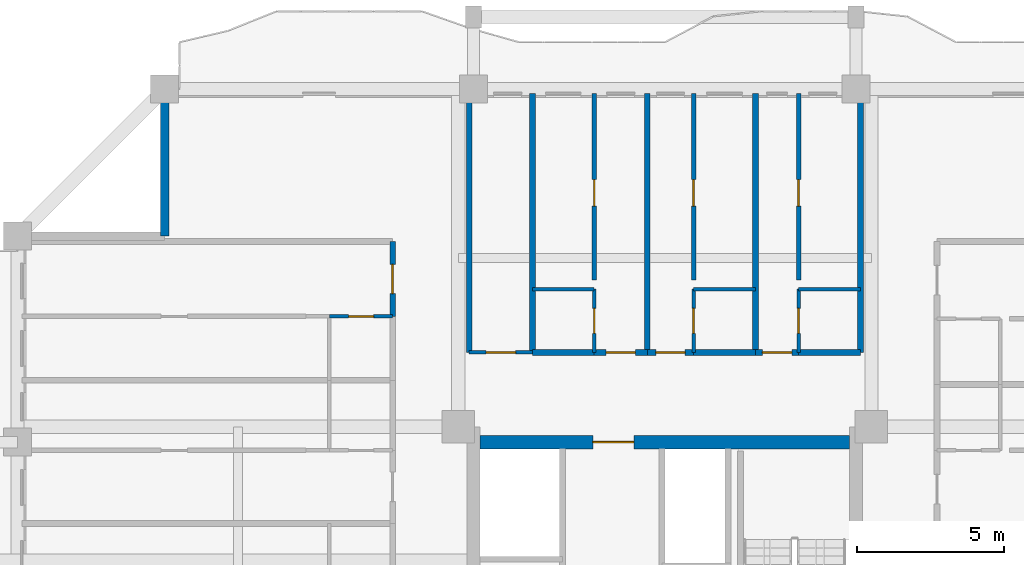
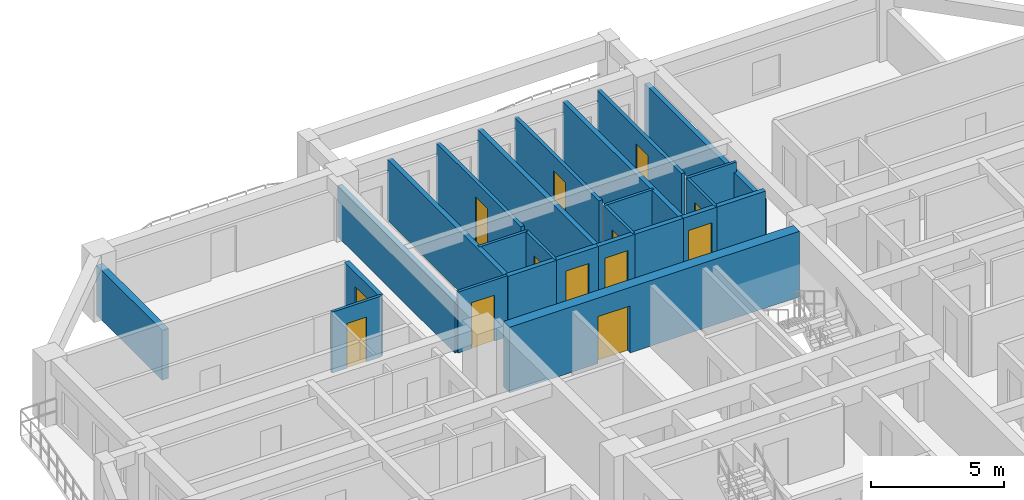
# One storey, part 7 of 15: 25 walls, 13 doors, 13 openings.
"""IFC4 building model written with IfcOpenShell, lengths in metres."""

from ifc_helpers import new_model, si_unit, direction, frame, frame_2d, origin, place, context, subcontext, project, spatial, rectangle, extrude, source, transform, mapped, material, layer, layer_set, type_object, element, fill, save


model = new_model("IFC4")

# Units and contexts
model_context = context("Model", 3, precision=1e-05, world=origin(), true_north=direction((0.0, 1.0)))
body_context = subcontext(model_context, "Body", "Model", "MODEL_VIEW")
ifc_project = project(units=[si_unit("LENGTHUNIT", "METRE"), si_unit("AREAUNIT", "SQUARE_METRE"), si_unit("VOLUMEUNIT", "CUBIC_METRE"), si_unit("PLANEANGLEUNIT", "RADIAN"), si_unit("MASSUNIT", "GRAM", prefix="KILO")], contexts=[model_context])

# Site, building, storey
site_placement = place(None, origin())
site = spatial("IfcSite", under=ifc_project, at=site_placement, CompositionType="ELEMENT")
building_placement = place(site_placement, origin())
building = spatial("IfcBuilding", under=site, at=building_placement, Name="Saelheon Loggia Tower", CompositionType="ELEMENT")
storey_placement = place(building_placement, frame((0.0, 0.0, 163.0)))
storey = spatial("IfcBuildingStorey", under=building, at=storey_placement, Name="L51", CompositionType="ELEMENT", Elevation=163.0)

# Wall, opening, door
ifc_material_1 = material(Name="Concrete C45/55", Category="concrete")
ifc_layer_1 = layer(ifc_material_1, 0.449951171875)
ifc_layer_set_1 = layer_set([ifc_layer_1], Name="Concrete C45/55")
wall_type_1 = type_object("IfcWallType", Name="Wall_CoreShear_450", PredefinedType="SHEAR", material=ifc_layer_set_1)
wall_1_placement = place(storey_placement, frame((31.72509765625, 36.0, 0.0), z_axis=(0.0, 0.0, 1.0), x_axis=(1.0, 0.0, 0.0)))
wall_1 = element("IfcWall", 1, at=wall_1_placement, inside=storey, type_object=wall_type_1, Name="L51 Core Shear Wall North", PredefinedType="SHEAR", context=body_context, shape_type="SweptSolid", body=[
    extrude(rectangle(XDim=12.5498046875, YDim=0.449951171875, at=frame_2d((6.27490234375, 0.0))), origin(), (0.0, 0.0, 1.0), 3.0),
])
opening_1_placement = place(wall_1_placement, frame((5.224853515625, 0.0, 0.0), z_axis=(0.0, 0.0, 1.0), x_axis=(-1.0, 0.0, 0.0)))
opening_1 = element("IfcOpeningElement", 2, at=opening_1_placement, cuts=wall_1, Name="Opening D-FD2L", PredefinedType="OPENING", context=body_context, shape_type="SweptSolid", body=[
    extrude(rectangle(XDim=1.39990234375, YDim=2.14990234375, at=frame_2d((0.699951171875, 1.074951171875))), frame((0.0, 0.237060546875, 0.0), z_axis=(0.0, -1.0, 0.0), x_axis=(1.0, 0.0, 0.0)), (0.0, 0.0, 1.0), 0.473876953125),
])
ifc_material_2 = material(Name="Galvanised Steel Glazed Lobby Fire Door", Category="steel")
door_type_1 = type_object("IfcDoorType", Name="Door_Fire_FD60_1400", OperationType="NOTDEFINED", PredefinedType="DOOR", material=ifc_material_2)
shared_shape_1 = source(origin(), body_context, "Body", "SweptSolid", [
    extrude(rectangle(XDim=1.39990234375, YDim=2.14990234375, at=frame_2d((0.699951171875, 1.074951171875))), frame((0.0, 0.02490234375, 0.0), z_axis=(0.0, -1.0, 0.0), x_axis=(1.0, 0.0, 0.0)), (0.0, 0.0, 1.0), 0.050048828125),
])
door_1_placement = place(opening_1_placement, origin())
door_1 = element("IfcDoor", 3, at=door_1_placement, inside=storey, type_object=door_type_1, Name="L51 Passenger Lift Lobby Main Door", OperationType="SINGLE_SWING_RIGHT", OverallHeight=2.14990234375, OverallWidth=1.39990234375, PredefinedType="DOOR", context=body_context, shape_type="MappedRepresentation", body=[
    mapped(shared_shape_1, transform((0.0, 0.0, 0.0), scale=1.0)),
])
fill(opening_1, door_1)

# Wall
ifc_material_3 = material(Name="Architectural Precast Concrete C40/50", Category="concrete")
ifc_layer_2 = layer(ifc_material_3, 0.280029296875)
ifc_layer_set_2 = layer_set([ifc_layer_2], Name="Architectural Precast Concrete C40/50")
wall_type_2 = type_object("IfcWallType", Name="Wall_Ext_Loggia_280", PredefinedType="SOLIDWALL", material=ifc_layer_set_2)
wall_2_placement = place(storey_placement, frame((21.0, 43.0, 0.0), z_axis=(0.0, 0.0, 1.0), x_axis=(0.0, 1.0, 0.0)))
element("IfcWall", 4, at=wall_2_placement, inside=storey, type_object=wall_type_2, Name="L51 Corner Notch Precast Wall NW1", PredefinedType="SOLIDWALL", context=body_context, shape_type="SweptSolid", body=[
    extrude(rectangle(XDim=4.919921875, YDim=0.280029296875, at=frame_2d((2.4599609375, 0.0))), origin(), (0.0, 0.0, 1.0), 2.280029296875),
])

# Wall, opening, door
ifc_material_4 = material(Name="Lightweight Autoclaved Aerated Concrete Block and Acoustic Gypsum", Category="concrete")
ifc_layer_3 = layer(ifc_material_4, 0.14990234375)
ifc_layer_set_3 = layer_set([ifc_layer_3], Name="Lightweight Autoclaved Aerated Concrete Block and Acoustic Gypsum")
wall_type_3 = type_object("IfcWallType", Name="Wall_Part_150", PredefinedType="PARTITIONING", material=ifc_layer_set_3)
wall_3_placement = place(storey_placement, frame((35.60009765625, 41.510009765625, 0.0), z_axis=(0.0, 0.0, 1.0), x_axis=(0.0, 1.0, 0.0)))
wall_3 = element("IfcWall", 5, at=wall_3_placement, inside=storey, type_object=wall_type_3, Name="L51 N Partition U09", PredefinedType="PARTITIONING", context=body_context, shape_type="SweptSolid", body=[
    extrude(rectangle(XDim=6.340087890625, YDim=0.14990234375, at=frame_2d((3.169921875, 0.0))), origin(), (0.0, 0.0, 1.0), 2.7900390625),
])
opening_2_placement = place(wall_3_placement, frame((2.51318359375, 0.0, 0.0)))
opening_2 = element("IfcOpeningElement", 6, at=opening_2_placement, cuts=wall_3, Name="Opening D-IN2", PredefinedType="OPENING", context=body_context, shape_type="SweptSolid", body=[
    extrude(rectangle(XDim=0.89990234375, YDim=2.10009765625, at=frame_2d((0.449951171875, 1.050048828125))), frame((0.0, 0.0869140625, 0.0), z_axis=(0.0, -1.0, 0.0), x_axis=(1.0, 0.0, 0.0)), (0.0, 0.0, 1.0), 0.173828125),
])
ifc_material_5 = material(Name="Engineered Oak Flush Door", Category="timber")
door_type_2 = type_object("IfcDoorType", Name="Door_Int_900", OperationType="NOTDEFINED", PredefinedType="DOOR", material=ifc_material_5)
shared_shape_2 = source(origin(), body_context, "Body", "SweptSolid", [
    extrude(rectangle(XDim=0.89990234375, YDim=2.10009765625, at=frame_2d((0.449951171875, 1.050048828125))), frame((0.0, 0.02490234375, 0.0), z_axis=(0.0, -1.0, 0.0), x_axis=(1.0, 0.0, 0.0)), (0.0, 0.0, 1.0), 0.050048828125),
])
door_2_placement = place(opening_2_placement, origin())
door_2 = element("IfcDoor", 7, at=door_2_placement, inside=storey, type_object=door_type_2, Name="Unit U04 Kitchen Door", OperationType="SINGLE_SWING_RIGHT", OverallHeight=2.10009765625, OverallWidth=0.89990234375, PredefinedType="DOOR", context=body_context, shape_type="MappedRepresentation", body=[
    mapped(shared_shape_2, transform((0.0, 0.0, 0.0), scale=1.0)),
])
fill(opening_2, door_2)

wall_4_placement = place(storey_placement, frame((38.98193359375, 41.510009765625, 0.0), z_axis=(0.0, 0.0, 1.0), x_axis=(0.0, 1.0, 0.0)))
wall_4 = element("IfcWall", 8, at=wall_4_placement, inside=storey, type_object=wall_type_3, Name="L51 N Partition U15", PredefinedType="PARTITIONING", context=body_context, shape_type="SweptSolid", body=[
    extrude(rectangle(XDim=6.340087890625, YDim=0.14990234375, at=frame_2d((3.169921875, 0.0))), origin(), (0.0, 0.0, 1.0), 2.7900390625),
])
opening_3_placement = place(wall_4_placement, frame((2.51318359375, 0.0, 0.0)))
opening_3 = element("IfcOpeningElement", 9, at=opening_3_placement, cuts=wall_4, Name="Opening D-IN2", PredefinedType="OPENING", context=body_context, shape_type="SweptSolid", body=[
    extrude(rectangle(XDim=0.89990234375, YDim=2.10009765625, at=frame_2d((0.449951171875, 1.050048828125))), frame((0.0, 0.0869140625, 0.0), z_axis=(0.0, -1.0, 0.0), x_axis=(1.0, 0.0, 0.0)), (0.0, 0.0, 1.0), 0.173828125),
])
door_3_placement = place(opening_3_placement, origin())
door_3 = element("IfcDoor", 10, at=door_3_placement, inside=storey, type_object=door_type_2, Name="Unit U05 Kitchen Door", OperationType="SINGLE_SWING_LEFT", OverallHeight=2.10009765625, OverallWidth=0.89990234375, PredefinedType="DOOR", context=body_context, shape_type="MappedRepresentation", body=[
    mapped(shared_shape_2, transform((0.0, 0.0, 0.0), scale=1.0)),
])
fill(opening_3, door_3)

wall_5_placement = place(storey_placement, frame((42.550048828125, 41.510009765625, 0.0), z_axis=(0.0, 0.0, 1.0), x_axis=(0.0, 1.0, 0.0)))
wall_5 = element("IfcWall", 11, at=wall_5_placement, inside=storey, type_object=wall_type_3, Name="L51 N Partition U21", PredefinedType="PARTITIONING", context=body_context, shape_type="SweptSolid", body=[
    extrude(rectangle(XDim=6.340087890625, YDim=0.14990234375, at=frame_2d((3.169921875, 0.0))), origin(), (0.0, 0.0, 1.0), 2.7900390625),
])
opening_4_placement = place(wall_5_placement, frame((2.51318359375, 0.0, 0.0)))
opening_4 = element("IfcOpeningElement", 12, at=opening_4_placement, cuts=wall_5, Name="Opening D-IN2", PredefinedType="OPENING", context=body_context, shape_type="SweptSolid", body=[
    extrude(rectangle(XDim=0.89990234375, YDim=2.10009765625, at=frame_2d((0.449951171875, 1.050048828125))), frame((0.0, 0.0869140625, 0.0), z_axis=(0.0, -1.0, 0.0), x_axis=(1.0, 0.0, 0.0)), (0.0, 0.0, 1.0), 0.173828125),
])
door_4_placement = place(opening_4_placement, origin())
door_4 = element("IfcDoor", 13, at=door_4_placement, inside=storey, type_object=door_type_2, Name="Unit U06 Kitchen Door", OperationType="SINGLE_SWING_RIGHT", OverallHeight=2.10009765625, OverallWidth=0.89990234375, PredefinedType="DOOR", context=body_context, shape_type="MappedRepresentation", body=[
    mapped(shared_shape_2, transform((0.0, 0.0, 0.0), scale=1.0)),
])
fill(opening_4, door_4)

# Walls
ifc_material_6 = material(Name="Double Acoustic Stud and Fireboard Partition", Category="gypsum")
ifc_layer_4 = layer(ifc_material_6, 0.199951171875)
ifc_layer_set_4 = layer_set([ifc_layer_4], Name="Double Acoustic Stud and Fireboard Partition")
wall_type_4 = type_object("IfcWallType", Name="Wall_Party_200", PredefinedType="PARTITIONING", material=ifc_layer_set_4)
for number, where, z_axis, x_axis, name in (
    (14, (31.35009765625, 39.050048828125, 0.0), (0.0, 0.0, 1.0), (0.0, 1.0, 0.0), "L51 N Partition U01"),
    (15, (44.64990234375, 39.050048828125, 0.0), (0.0, 0.0, 1.0), (0.0, 1.0, 0.0), "L51 N Partition U02"),
):
    element("IfcWall", number, at=place(storey_placement, frame(where, z_axis=z_axis, x_axis=x_axis)), inside=storey, type_object=wall_type_4, Name=name, PredefinedType="PARTITIONING", context=body_context, shape_type="SweptSolid", body=[
        extrude(rectangle(XDim=8.800048828125, YDim=0.199951171875, at=frame_2d((4.39990234375, 0.0))), origin(), (0.0, 0.0, 1.0), 2.340087890625),
    ])
wall_6_placement = place(storey_placement, frame((33.5, 39.050048828125, 0.0), z_axis=(0.0, 0.0, 1.0), x_axis=(0.0, 1.0, 0.0)))
element("IfcWall", 16, at=wall_6_placement, inside=storey, type_object=wall_type_4, Name="L51 N Partition U03", PredefinedType="PARTITIONING", context=body_context, shape_type="SweptSolid", body=[
    extrude(rectangle(XDim=8.800048828125, YDim=0.199951171875, at=frame_2d((4.39990234375, 0.0))), origin(), (0.0, 0.0, 1.0), 2.7900390625),
])
wall_7_placement = place(storey_placement, frame((33.5, 39.050048828125, 0.0), z_axis=(0.0, 0.0, 1.0), x_axis=(1.0, 0.0, 0.0)))
element("IfcWall", 17, at=wall_7_placement, inside=storey, type_object=wall_type_4, Name="L51 N Partition V05", PredefinedType="PARTITIONING", context=body_context, shape_type="SweptSolid", body=[
    extrude(rectangle(XDim=2.10009765625, YDim=0.199951171875, at=frame_2d((1.050048828125, 0.0))), origin(), (0.0, 0.0, 1.0), 2.7900390625),
])

# Wall, opening, door
wall_8_placement = place(storey_placement, frame((35.60009765625, 39.050048828125, 0.0), z_axis=(0.0, 0.0, 1.0), x_axis=(1.0, 0.0, 0.0)))
wall_8 = element("IfcWall", 18, at=wall_8_placement, inside=storey, type_object=wall_type_4, Name="L51 N Partition V06", PredefinedType="PARTITIONING", context=body_context, shape_type="SweptSolid", body=[
    extrude(rectangle(XDim=1.802490234375, YDim=0.199951171875, at=frame_2d((0.9013671875, 0.0))), origin(), (0.0, 0.0, 1.0), 2.7900390625),
])
opening_5_placement = place(wall_8_placement, frame((0.4013671875, 0.0, 0.0)))
opening_5 = element("IfcOpeningElement", 19, at=opening_5_placement, cuts=wall_8, Name="Opening D-FD1", PredefinedType="OPENING", context=body_context, shape_type="SweptSolid", body=[
    extrude(rectangle(XDim=1.0, YDim=2.14990234375, at=frame_2d((0.5, 1.074951171875))), frame((0.0, 0.112060546875, 0.0), z_axis=(0.0, -1.0, 0.0), x_axis=(1.0, 0.0, 0.0)), (0.0, 0.0, 1.0), 0.223876953125),
])
ifc_material_7 = material(Name="Fire-Rated Engineered Timber Entrance Door", Category="wood")
door_type_3 = type_object("IfcDoorType", Name="Door_Flat_FD30S", OperationType="NOTDEFINED", PredefinedType="DOOR", material=ifc_material_7)
shared_shape_3 = source(origin(), body_context, "Body", "SweptSolid", [
    extrude(rectangle(XDim=1.0, YDim=2.14990234375, at=frame_2d((0.5, 1.074951171875))), frame((0.0, 0.02490234375, 0.0), z_axis=(0.0, -1.0, 0.0), x_axis=(1.0, 0.0, 0.0)), (0.0, 0.0, 1.0), 0.050048828125),
])
door_5_placement = place(opening_5_placement, origin())
door_5 = element("IfcDoor", 20, at=door_5_placement, inside=storey, type_object=door_type_3, Name="Unit U04 Entrance Door", OperationType="SINGLE_SWING_RIGHT", OverallHeight=2.14990234375, OverallWidth=1.0, PredefinedType="DOOR", context=body_context, shape_type="MappedRepresentation", body=[
    mapped(shared_shape_3, transform((0.0, 0.0, 0.0), scale=1.0)),
])
fill(opening_5, door_5)

# Wall
wall_9_placement = place(storey_placement, frame((37.402587890625, 39.050048828125, 0.0), z_axis=(0.0, 0.0, 1.0), x_axis=(0.0, 1.0, 0.0)))
element("IfcWall", 21, at=wall_9_placement, inside=storey, type_object=wall_type_4, Name="L51 N Partition U10", PredefinedType="PARTITIONING", context=body_context, shape_type="SweptSolid", body=[
    extrude(rectangle(XDim=8.800048828125, YDim=0.199951171875, at=frame_2d((4.39990234375, 0.0))), origin(), (0.0, 0.0, 1.0), 2.7900390625),
])

# Wall, opening, door
wall_10_placement = place(storey_placement, frame((37.402587890625, 39.050048828125, 0.0), z_axis=(0.0, 0.0, 1.0), x_axis=(1.0, 0.0, 0.0)))
wall_10 = element("IfcWall", 22, at=wall_10_placement, inside=storey, type_object=wall_type_4, Name="L51 N Partition V11", PredefinedType="PARTITIONING", context=body_context, shape_type="SweptSolid", body=[
    extrude(rectangle(XDim=1.579345703125, YDim=0.199951171875, at=frame_2d((0.78955078125, 0.0))), origin(), (0.0, 0.0, 1.0), 2.7900390625),
])
opening_6_placement = place(wall_10_placement, frame((0.289794921875, 0.0, 0.0)))
opening_6 = element("IfcOpeningElement", 23, at=opening_6_placement, cuts=wall_10, Name="Opening D-FD1", PredefinedType="OPENING", context=body_context, shape_type="SweptSolid", body=[
    extrude(rectangle(XDim=1.0, YDim=2.14990234375, at=frame_2d((0.5, 1.074951171875))), frame((0.0, 0.112060546875, 0.0), z_axis=(0.0, -1.0, 0.0), x_axis=(1.0, 0.0, 0.0)), (0.0, 0.0, 1.0), 0.223876953125),
])
door_6_placement = place(opening_6_placement, origin())
door_6 = element("IfcDoor", 24, at=door_6_placement, inside=storey, type_object=door_type_3, Name="Unit U05 Entrance Door", OperationType="SINGLE_SWING_LEFT", OverallHeight=2.14990234375, OverallWidth=1.0, PredefinedType="DOOR", context=body_context, shape_type="MappedRepresentation", body=[
    mapped(shared_shape_3, transform((0.0, 0.0, 0.0), scale=1.0)),
])
fill(opening_6, door_6)

# Walls
wall_11_placement = place(storey_placement, frame((38.98193359375, 39.050048828125, 0.0), z_axis=(0.0, 0.0, 1.0), x_axis=(1.0, 0.0, 0.0)))
element("IfcWall", 25, at=wall_11_placement, inside=storey, type_object=wall_type_4, Name="L51 N Partition V12", PredefinedType="PARTITIONING", context=body_context, shape_type="SweptSolid", body=[
    extrude(rectangle(XDim=2.10009765625, YDim=0.199951171875, at=frame_2d((1.050048828125, 0.0))), origin(), (0.0, 0.0, 1.0), 2.7900390625),
])
wall_12_placement = place(storey_placement, frame((41.08203125, 39.050048828125, 0.0), z_axis=(0.0, 0.0, 1.0), x_axis=(0.0, 1.0, 0.0)))
element("IfcWall", 26, at=wall_12_placement, inside=storey, type_object=wall_type_4, Name="L51 N Partition U16", PredefinedType="PARTITIONING", context=body_context, shape_type="SweptSolid", body=[
    extrude(rectangle(XDim=8.800048828125, YDim=0.199951171875, at=frame_2d((4.39990234375, 0.0))), origin(), (0.0, 0.0, 1.0), 2.7900390625),
])

# Wall, opening, door
wall_13_placement = place(storey_placement, frame((41.08203125, 39.050048828125, 0.0), z_axis=(0.0, 0.0, 1.0), x_axis=(1.0, 0.0, 0.0)))
wall_13 = element("IfcWall", 27, at=wall_13_placement, inside=storey, type_object=wall_type_4, Name="L51 N Partition V17", PredefinedType="PARTITIONING", context=body_context, shape_type="SweptSolid", body=[
    extrude(rectangle(XDim=1.468017578125, YDim=0.199951171875, at=frame_2d((0.73388671875, 0.0))), origin(), (0.0, 0.0, 1.0), 2.7900390625),
])
opening_7_placement = place(wall_13_placement, frame((0.23388671875, 0.0, 0.0)))
opening_7 = element("IfcOpeningElement", 28, at=opening_7_placement, cuts=wall_13, Name="Opening D-FD1", PredefinedType="OPENING", context=body_context, shape_type="SweptSolid", body=[
    extrude(rectangle(XDim=1.0, YDim=2.14990234375, at=frame_2d((0.5, 1.074951171875))), frame((0.0, 0.112060546875, 0.0), z_axis=(0.0, -1.0, 0.0), x_axis=(1.0, 0.0, 0.0)), (0.0, 0.0, 1.0), 0.223876953125),
])
door_7_placement = place(opening_7_placement, origin())
door_7 = element("IfcDoor", 29, at=door_7_placement, inside=storey, type_object=door_type_3, Name="Unit U06 Entrance Door", OperationType="SINGLE_SWING_RIGHT", OverallHeight=2.14990234375, OverallWidth=1.0, PredefinedType="DOOR", context=body_context, shape_type="MappedRepresentation", body=[
    mapped(shared_shape_3, transform((0.0, 0.0, 0.0), scale=1.0)),
])
fill(opening_7, door_7)

# Wall
wall_14_placement = place(storey_placement, frame((42.550048828125, 39.050048828125, 0.0), z_axis=(0.0, 0.0, 1.0), x_axis=(1.0, 0.0, 0.0)))
element("IfcWall", 30, at=wall_14_placement, inside=storey, type_object=wall_type_4, Name="L51 N Partition V18", PredefinedType="PARTITIONING", context=body_context, shape_type="SweptSolid", body=[
    extrude(rectangle(XDim=2.099853515625, YDim=0.199951171875, at=frame_2d((1.0498046875, 0.0))), origin(), (0.0, 0.0, 1.0), 2.7900390625),
])

# Wall, opening, door
wall_15_placement = place(storey_placement, frame((28.75, 40.27294921875, 0.0), z_axis=(0.0, 0.0, 1.0), x_axis=(0.0, 1.0, 0.0)))
wall_15 = element("IfcWall", 31, at=wall_15_placement, inside=storey, type_object=wall_type_4, Name="L51 WN Partition V18", PredefinedType="PARTITIONING", context=body_context, shape_type="SweptSolid", body=[
    extrude(rectangle(XDim=2.547119140625, YDim=0.199951171875, at=frame_2d((1.2734375, 0.0))), origin(), (0.0, 0.0, 1.0), 2.7900390625),
])
opening_8_placement = place(wall_15_placement, frame((0.773681640625, 0.0, 0.0)))
opening_8 = element("IfcOpeningElement", 32, at=opening_8_placement, cuts=wall_15, Name="Opening D-FD1", PredefinedType="OPENING", context=body_context, shape_type="SweptSolid", body=[
    extrude(rectangle(XDim=1.0, YDim=2.14990234375, at=frame_2d((0.5, 1.074951171875))), frame((0.0, 0.112060546875, 0.0), z_axis=(0.0, -1.0, 0.0), x_axis=(1.0, 0.0, 0.0)), (0.0, 0.0, 1.0), 0.223876953125),
])
door_8_placement = place(opening_8_placement, origin())
door_8 = element("IfcDoor", 33, at=door_8_placement, inside=storey, type_object=door_type_3, Name="Unit U12 Entrance Door", OperationType="SINGLE_SWING_RIGHT", OverallHeight=2.14990234375, OverallWidth=1.0, PredefinedType="DOOR", context=body_context, shape_type="MappedRepresentation", body=[
    mapped(shared_shape_3, transform((0.0, 0.0, 0.0), scale=1.0)),
])
fill(opening_8, door_8)

ifc_material_8 = material(Name="Moisture-Resistant Cement Board Partition", Category="gypsum")
ifc_layer_5 = layer(ifc_material_8, 0.1201171875)
ifc_layer_set_5 = layer_set([ifc_layer_5], Name="Moisture-Resistant Cement Board Partition")
wall_type_5 = type_object("IfcWallType", Name="Wall_WetPart_120", PredefinedType="PARTITIONING", material=ifc_layer_set_5)
wall_16_placement = place(storey_placement, frame((31.35009765625, 39.050048828125, 0.0), z_axis=(0.0, 0.0, 1.0), x_axis=(1.0, 0.0, 0.0)))
wall_16 = element("IfcWall", 34, at=wall_16_placement, inside=storey, type_object=wall_type_5, Name="L51 N Partition V04", PredefinedType="PARTITIONING", context=body_context, shape_type="SweptSolid", body=[
    extrude(rectangle(XDim=2.14990234375, YDim=0.1201171875, at=frame_2d((1.074951171875, 0.0))), origin(), (0.0, 0.0, 1.0), 2.7900390625),
])
opening_9_placement = place(wall_16_placement, frame((0.574951171875, 0.0, 0.0)))
opening_9 = element("IfcOpeningElement", 35, at=opening_9_placement, cuts=wall_16, Name="Opening D-AC1", PredefinedType="OPENING", context=body_context, shape_type="SweptSolid", body=[
    extrude(rectangle(XDim=1.0, YDim=2.10009765625, at=frame_2d((0.5, 1.050048828125))), frame((0.0, 0.072021484375, 0.0), z_axis=(0.0, -1.0, 0.0), x_axis=(1.0, 0.0, 0.0)), (0.0, 0.0, 1.0), 0.14404296875),
])
ifc_material_9 = material(Name="Accessible Laminate Flush Door", Category="timber")
door_type_4 = type_object("IfcDoorType", Name="Door_Acc_1000", OperationType="NOTDEFINED", PredefinedType="DOOR", material=ifc_material_9)
shared_shape_4 = source(origin(), body_context, "Body", "SweptSolid", [
    extrude(rectangle(XDim=1.0, YDim=2.10009765625, at=frame_2d((0.5, 1.050048828125))), frame((0.0, 0.02490234375, 0.0), z_axis=(0.0, -1.0, 0.0), x_axis=(1.0, 0.0, 0.0)), (0.0, 0.0, 1.0), 0.050048828125),
])
door_9_placement = place(opening_9_placement, origin())
door_9 = element("IfcDoor", 36, at=door_9_placement, inside=storey, type_object=door_type_4, Name="L51 Floor Accessible WC Door", OperationType="SINGLE_SWING_LEFT", OverallHeight=2.10009765625, OverallWidth=1.0, PredefinedType="DOOR", context=body_context, shape_type="MappedRepresentation", body=[
    mapped(shared_shape_4, transform((0.0, 0.0, 0.0), scale=1.0)),
])
fill(opening_9, door_9)

wall_17_placement = place(storey_placement, frame((35.60009765625, 39.050048828125, 0.0), z_axis=(0.0, 0.0, 1.0), x_axis=(0.0, 1.0, 0.0)))
wall_17 = element("IfcWall", 37, at=wall_17_placement, inside=storey, type_object=wall_type_5, Name="L51 N Partition U07", PredefinedType="PARTITIONING", context=body_context, shape_type="SweptSolid", body=[
    extrude(rectangle(XDim=2.14990234375, YDim=0.1201171875, at=frame_2d((1.074951171875, 0.0))), origin(), (0.0, 0.0, 1.0), 2.7900390625),
])
opening_10_placement = place(wall_17_placement, frame((0.64990234375, 0.0, 0.0)))
opening_10 = element("IfcOpeningElement", 38, at=opening_10_placement, cuts=wall_17, Name="Opening D-BT1", PredefinedType="OPENING", context=body_context, shape_type="SweptSolid", body=[
    extrude(rectangle(XDim=0.85009765625, YDim=2.050048828125, at=frame_2d((0.425048828125, 1.02490234375))), frame((0.0, 0.072021484375, 0.0), z_axis=(0.0, -1.0, 0.0), x_axis=(1.0, 0.0, 0.0)), (0.0, 0.0, 1.0), 0.14404296875),
])
ifc_material_10 = material(Name="Moisture-Resistant Laminate Timber Door", Category="wood")
door_type_5 = type_object("IfcDoorType", Name="Door_Bath_850", OperationType="NOTDEFINED", PredefinedType="DOOR", material=ifc_material_10)
shared_shape_5 = source(origin(), body_context, "Body", "SweptSolid", [
    extrude(rectangle(XDim=0.85009765625, YDim=2.050048828125, at=frame_2d((0.425048828125, 1.02490234375))), frame((0.0, 0.02490234375, 0.0), z_axis=(0.0, -1.0, 0.0), x_axis=(1.0, 0.0, 0.0)), (0.0, 0.0, 1.0), 0.050048828125),
])
door_10_placement = place(opening_10_placement, origin())
door_10 = element("IfcDoor", 39, at=door_10_placement, inside=storey, type_object=door_type_5, Name="Unit U04 Bathroom Door", OperationType="SINGLE_SWING_LEFT", OverallHeight=2.050048828125, OverallWidth=0.85009765625, PredefinedType="DOOR", context=body_context, shape_type="MappedRepresentation", body=[
    mapped(shared_shape_5, transform((0.0, 0.0, 0.0), scale=1.0)),
])
fill(opening_10, door_10)

# Wall
wall_18_placement = place(storey_placement, frame((33.5, 41.199951171875, 0.0), z_axis=(0.0, 0.0, 1.0), x_axis=(1.0, 0.0, 0.0)))
element("IfcWall", 40, at=wall_18_placement, inside=storey, type_object=wall_type_5, Name="L51 N Partition V08", PredefinedType="PARTITIONING", context=body_context, shape_type="SweptSolid", body=[
    extrude(rectangle(XDim=2.10009765625, YDim=0.1201171875, at=frame_2d((1.050048828125, 0.0))), origin(), (0.0, 0.0, 1.0), 2.7900390625),
])

# Wall, opening, door
wall_19_placement = place(storey_placement, frame((38.98193359375, 39.050048828125, 0.0), z_axis=(0.0, 0.0, 1.0), x_axis=(0.0, 1.0, 0.0)))
wall_19 = element("IfcWall", 41, at=wall_19_placement, inside=storey, type_object=wall_type_5, Name="L51 N Partition U13", PredefinedType="PARTITIONING", context=body_context, shape_type="SweptSolid", body=[
    extrude(rectangle(XDim=2.14990234375, YDim=0.1201171875, at=frame_2d((1.074951171875, 0.0))), origin(), (0.0, 0.0, 1.0), 2.7900390625),
])
opening_11_placement = place(wall_19_placement, frame((0.64990234375, 0.0, 0.0)))
opening_11 = element("IfcOpeningElement", 42, at=opening_11_placement, cuts=wall_19, Name="Opening D-BT1", PredefinedType="OPENING", context=body_context, shape_type="SweptSolid", body=[
    extrude(rectangle(XDim=0.85009765625, YDim=2.050048828125, at=frame_2d((0.425048828125, 1.02490234375))), frame((0.0, 0.072021484375, 0.0), z_axis=(0.0, -1.0, 0.0), x_axis=(1.0, 0.0, 0.0)), (0.0, 0.0, 1.0), 0.14404296875),
])
door_11_placement = place(opening_11_placement, origin())
door_11 = element("IfcDoor", 43, at=door_11_placement, inside=storey, type_object=door_type_5, Name="Unit U05 Bathroom Door", OperationType="SINGLE_SWING_RIGHT", OverallHeight=2.050048828125, OverallWidth=0.85009765625, PredefinedType="DOOR", context=body_context, shape_type="MappedRepresentation", body=[
    mapped(shared_shape_5, transform((0.0, 0.0, 0.0), scale=1.0)),
])
fill(opening_11, door_11)

# Wall
wall_20_placement = place(storey_placement, frame((38.98193359375, 41.199951171875, 0.0), z_axis=(0.0, 0.0, 1.0), x_axis=(1.0, 0.0, 0.0)))
element("IfcWall", 44, at=wall_20_placement, inside=storey, type_object=wall_type_5, Name="L51 N Partition V14", PredefinedType="PARTITIONING", context=body_context, shape_type="SweptSolid", body=[
    extrude(rectangle(XDim=2.10009765625, YDim=0.1201171875, at=frame_2d((1.050048828125, 0.0))), origin(), (0.0, 0.0, 1.0), 2.7900390625),
])

# Wall, opening, door
wall_21_placement = place(storey_placement, frame((42.550048828125, 39.050048828125, 0.0), z_axis=(0.0, 0.0, 1.0), x_axis=(0.0, 1.0, 0.0)))
wall_21 = element("IfcWall", 45, at=wall_21_placement, inside=storey, type_object=wall_type_5, Name="L51 N Partition U19", PredefinedType="PARTITIONING", context=body_context, shape_type="SweptSolid", body=[
    extrude(rectangle(XDim=2.14990234375, YDim=0.1201171875, at=frame_2d((1.074951171875, 0.0))), origin(), (0.0, 0.0, 1.0), 2.7900390625),
])
opening_12_placement = place(wall_21_placement, frame((0.64990234375, 0.0, 0.0)))
opening_12 = element("IfcOpeningElement", 46, at=opening_12_placement, cuts=wall_21, Name="Opening D-BT1", PredefinedType="OPENING", context=body_context, shape_type="SweptSolid", body=[
    extrude(rectangle(XDim=0.85009765625, YDim=2.050048828125, at=frame_2d((0.425048828125, 1.02490234375))), frame((0.0, 0.072021484375, 0.0), z_axis=(0.0, -1.0, 0.0), x_axis=(1.0, 0.0, 0.0)), (0.0, 0.0, 1.0), 0.14404296875),
])
door_12_placement = place(opening_12_placement, origin())
door_12 = element("IfcDoor", 47, at=door_12_placement, inside=storey, type_object=door_type_5, Name="Unit U06 Bathroom Door", OperationType="SINGLE_SWING_LEFT", OverallHeight=2.050048828125, OverallWidth=0.85009765625, PredefinedType="DOOR", context=body_context, shape_type="MappedRepresentation", body=[
    mapped(shared_shape_5, transform((0.0, 0.0, 0.0), scale=1.0)),
])
fill(opening_12, door_12)

# Wall
wall_22_placement = place(storey_placement, frame((42.550048828125, 41.199951171875, 0.0), z_axis=(0.0, 0.0, 1.0), x_axis=(1.0, 0.0, 0.0)))
element("IfcWall", 48, at=wall_22_placement, inside=storey, type_object=wall_type_5, Name="L51 N Partition V20", PredefinedType="PARTITIONING", context=body_context, shape_type="SweptSolid", body=[
    extrude(rectangle(XDim=2.099853515625, YDim=0.1201171875, at=frame_2d((1.0498046875, 0.0))), origin(), (0.0, 0.0, 1.0), 2.7900390625),
])

# Wall, opening, door
wall_23_placement = place(storey_placement, frame((28.75, 40.27294921875, 0.0), z_axis=(0.0, 0.0, 1.0), x_axis=(-1.0, 0.0, 0.0)))
wall_23 = element("IfcWall", 49, at=wall_23_placement, inside=storey, type_object=wall_type_5, Name="L51 WN Partition U19", PredefinedType="PARTITIONING", context=body_context, shape_type="SweptSolid", body=[
    extrude(rectangle(XDim=2.14990234375, YDim=0.1201171875, at=frame_2d((1.074951171875, 0.0))), origin(), (0.0, 0.0, 1.0), 2.7900390625),
])
opening_13_placement = place(wall_23_placement, frame((0.64990234375, 0.0, 0.0)))
opening_13 = element("IfcOpeningElement", 50, at=opening_13_placement, cuts=wall_23, Name="Opening D-BT1", PredefinedType="OPENING", context=body_context, shape_type="SweptSolid", body=[
    extrude(rectangle(XDim=0.85009765625, YDim=2.050048828125, at=frame_2d((0.425048828125, 1.02490234375))), frame((0.0, 0.072021484375, 0.0), z_axis=(0.0, -1.0, 0.0), x_axis=(1.0, 0.0, 0.0)), (0.0, 0.0, 1.0), 0.14404296875),
])
door_13_placement = place(opening_13_placement, origin())
door_13 = element("IfcDoor", 51, at=door_13_placement, inside=storey, type_object=door_type_5, Name="Unit U12 Bathroom Door", OperationType="SINGLE_SWING_LEFT", OverallHeight=2.050048828125, OverallWidth=0.85009765625, PredefinedType="DOOR", context=body_context, shape_type="MappedRepresentation", body=[
    mapped(shared_shape_5, transform((0.0, 0.0, 0.0), scale=1.0)),
])
fill(opening_13, door_13)

save(model, "model.ifc")
